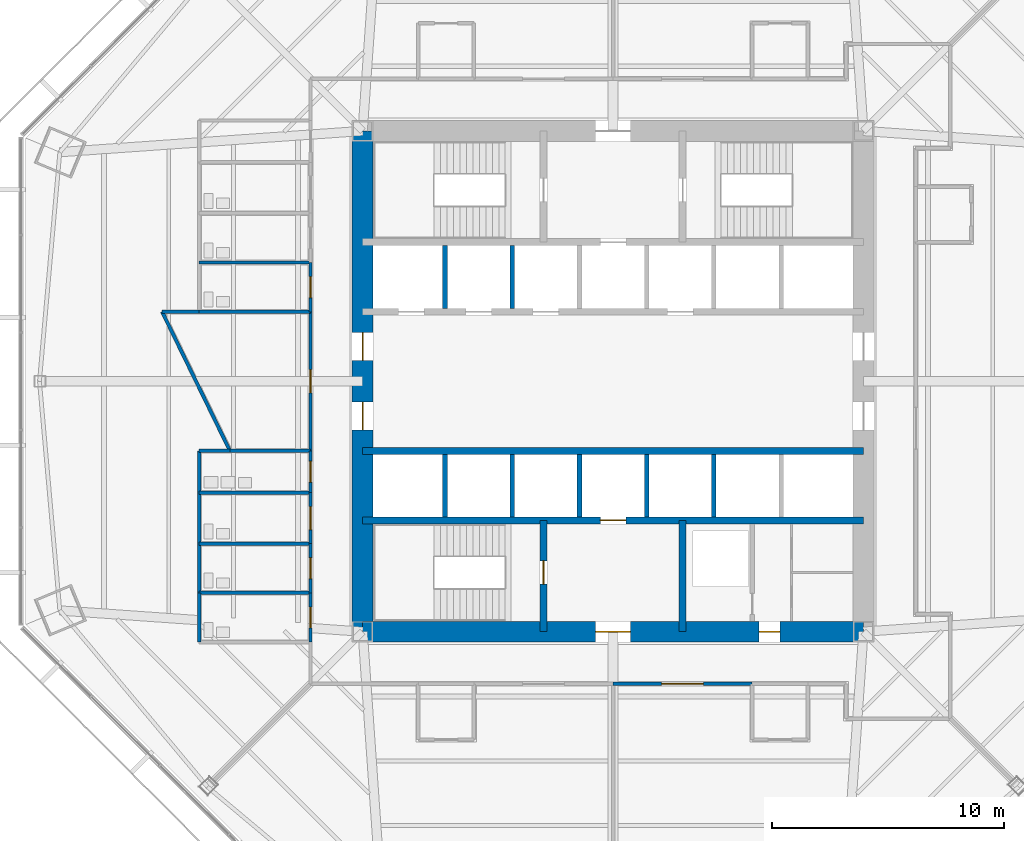
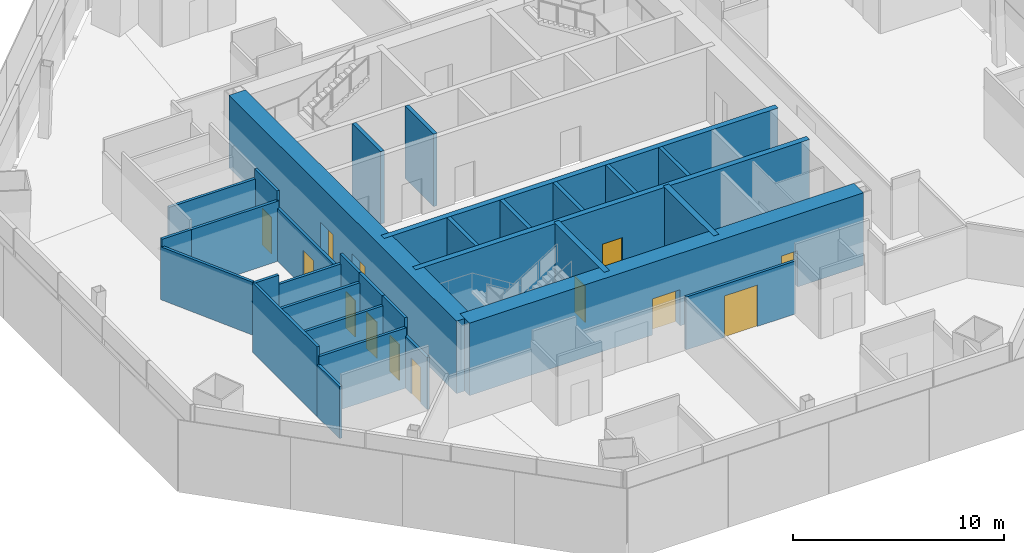
# One storey, part 10 of 17: 31 walls, 13 doors, 13 openings.
"""IFC4 building model written with IfcOpenShell, lengths in metres."""

from ifc_helpers import new_model, si_unit, direction, frame, frame_2d, origin, place, context, subcontext, project, spatial, rectangle, extrude, material, layer, layer_set, type_object, element, fill, save


model = new_model("IFC4")

# Units and contexts
model_context = context("Model", 3, precision=1e-05, world=origin(), true_north=direction((0.0, 1.0)))
body_context = subcontext(model_context, "Body", "Model", "MODEL_VIEW")
ifc_project = project(units=[si_unit("LENGTHUNIT", "METRE"), si_unit("AREAUNIT", "SQUARE_METRE"), si_unit("VOLUMEUNIT", "CUBIC_METRE"), si_unit("PLANEANGLEUNIT", "RADIAN"), si_unit("MASSUNIT", "GRAM", prefix="KILO")], contexts=[model_context])

# Site, building, storey
site_placement = place(None, origin())
site = spatial("IfcSite", under=ifc_project, at=site_placement, CompositionType="ELEMENT")
building_placement = place(site_placement, origin())
building = spatial("IfcBuilding", under=site, at=building_placement, Name="Mashrafa Tower", CompositionType="ELEMENT")
storey_placement = place(building_placement, frame((0.0, 0.0, 87.60009765625)))
storey = spatial("IfcBuildingStorey", under=building, at=storey_placement, Name="L19", CompositionType="ELEMENT", Elevation=87.60009765625)

# Wall
ifc_material_1 = material(Name="Concrete C60/75", Category="concrete")
ifc_layer_1 = layer(ifc_material_1, 0.300048828125)
ifc_layer_set_1 = layer_set([ifc_layer_1], Name="Core wall 300 C60/75")
wall_type_1 = type_object("IfcWallType", Name="Core wall 300 C60/75", PredefinedType="SOLIDWALL", material=ifc_layer_set_1)
wall_1_placement = place(storey_placement, frame((-10.800048828125, -3.0, 0.0), z_axis=(0.0, 0.0, 1.0), x_axis=(1.0, 0.0, 0.0)))
element("IfcWall", 1, at=wall_1_placement, inside=storey, type_object=wall_type_1, Name="Core wall CH-S L19", PredefinedType="SOLIDWALL", context=body_context, shape_type="SweptSolid", body=[
    extrude(rectangle(XDim=21.60009765625, YDim=0.300048828125, at=frame_2d((10.800048828125, 0.0))), origin(), (0.0, 0.0, 1.0), 4.199951171875),
])

# Wall, opening, door
wall_2_placement = place(storey_placement, frame((-10.800048828125, -6.0, 0.0), z_axis=(0.0, 0.0, 1.0), x_axis=(1.0, 0.0, 0.0)))
wall_2 = element("IfcWall", 2, at=wall_2_placement, inside=storey, type_object=wall_type_1, Name="Core wall CB-S L19", PredefinedType="SOLIDWALL", context=body_context, shape_type="SweptSolid", body=[
    extrude(rectangle(XDim=21.60009765625, YDim=0.300048828125, at=frame_2d((10.800048828125, 0.0))), origin(), (0.0, 0.0, 1.0), 4.199951171875),
])
opening_1_placement = place(wall_2_placement, frame((10.25, 0.0, 0.0)))
opening_1 = element("IfcOpeningElement", 3, at=opening_1_placement, cuts=wall_2, Name="Opening 19.F2", PredefinedType="OPENING", context=body_context, shape_type="SweptSolid", body=[
    extrude(rectangle(XDim=1.10009765625, YDim=2.10009765625, at=frame_2d((0.550048828125, 1.050048828125))), frame((0.0, 0.159912109375, 0.0), z_axis=(0.0, -1.0, 0.0), x_axis=(1.0, 0.0, 0.0)), (0.0, 0.0, 1.0), 0.320068359375),
])
ifc_material_2 = material(Name="Steel door", Category="steel")
door_type_1 = type_object("IfcDoorType", Name="Lift landing door 1100 x 2100 90 min", OperationType="DOUBLE_DOOR_SLIDING", PredefinedType="DOOR", material=ifc_material_2)
door_1_placement = place(opening_1_placement, origin())
door_1 = element("IfcDoor", 4, at=door_1_placement, inside=storey, type_object=door_type_1, Name="Lift landing door F2 L19", OperationType="DOUBLE_DOOR_SLIDING", OverallHeight=2.10009765625, OverallWidth=1.10009765625, PredefinedType="DOOR", context=body_context, shape_type="SweptSolid", body=[
    extrude(rectangle(XDim=1.10009765625, YDim=2.10009765625, at=frame_2d((0.550048828125, 1.050048828125))), frame((0.0, 0.02490234375, 0.0), z_axis=(0.0, -1.0, 0.0), x_axis=(1.0, 0.0, 0.0)), (0.0, 0.0, 1.0), 0.050048828125),
])
fill(opening_1, door_1)

wall_3_placement = place(storey_placement, frame((-3.0, -6.0, 0.0), z_axis=(0.0, 0.0, 1.0), x_axis=(0.0, -1.0, 0.0)))
wall_3 = element("IfcWall", 5, at=wall_3_placement, inside=storey, type_object=wall_type_1, Name="Core wall CX-SW L19", PredefinedType="SOLIDWALL", context=body_context, shape_type="SweptSolid", body=[
    extrude(rectangle(XDim=4.800048828125, YDim=0.300048828125, at=frame_2d((2.39990234375, 0.0))), origin(), (0.0, 0.0, 1.0), 4.199951171875),
])
opening_2_placement = place(wall_3_placement, frame((1.75, 0.0, 0.0)))
opening_2 = element("IfcOpeningElement", 6, at=opening_2_placement, cuts=wall_3, Name="Opening 19.034", PredefinedType="OPENING", context=body_context, shape_type="SweptSolid", body=[
    extrude(rectangle(XDim=1.0, YDim=2.10009765625, at=frame_2d((0.5, 1.050048828125))), frame((0.0, 0.159912109375, 0.0), z_axis=(0.0, -1.0, 0.0), x_axis=(1.0, 0.0, 0.0)), (0.0, 0.0, 1.0), 0.320068359375),
])
ifc_material_3 = material(Name="Steel door", Category="steel")
door_type_2 = type_object("IfcDoorType", Name="Stair door 1000 x 2100 90 min", OperationType="USERDEFINED", PredefinedType="DOOR", material=ifc_material_3)
door_2_placement = place(opening_2_placement, frame((1.0, 0.0, 0.0), z_axis=(0.0, 0.0, 1.0), x_axis=(-1.0, 0.0, 0.0)))
door_2 = element("IfcDoor", 7, at=door_2_placement, inside=storey, type_object=door_type_2, Name="Stair S3 door L19", OperationType="SINGLE_SWING_RIGHT", OverallHeight=2.10009765625, OverallWidth=1.0, PredefinedType="DOOR", context=body_context, shape_type="SweptSolid", body=[
    extrude(rectangle(XDim=1.0, YDim=2.10009765625, at=frame_2d((0.5, 1.050048828125))), frame((0.0, 0.02490234375, 0.0), z_axis=(0.0, -1.0, 0.0), x_axis=(1.0, 0.0, 0.0)), (0.0, 0.0, 1.0), 0.050048828125),
])
fill(opening_2, door_2)

# Wall
wall_4_placement = place(storey_placement, frame((3.0, -6.0, 0.0), z_axis=(0.0, 0.0, 1.0), x_axis=(0.0, -1.0, 0.0)))
element("IfcWall", 8, at=wall_4_placement, inside=storey, type_object=wall_type_1, Name="Core wall CX-SE L19", PredefinedType="SOLIDWALL", context=body_context, shape_type="SweptSolid", body=[
    extrude(rectangle(XDim=4.800048828125, YDim=0.300048828125, at=frame_2d((2.39990234375, 0.0))), origin(), (0.0, 0.0, 1.0), 4.199951171875),
])

# Wall, openings, doors
ifc_material_4 = material(Name="Concrete C60/75", Category="concrete")
ifc_layer_2 = layer(ifc_material_4, 0.89990234375)
ifc_layer_set_2 = layer_set([ifc_layer_2], Name="Core wall 900 C60/75")
wall_type_2 = type_object("IfcWallType", Name="Core wall 900 C60/75", PredefinedType="SOLIDWALL", material=ifc_layer_set_2)
wall_5_placement = place(storey_placement, frame((-10.800048828125, -10.800048828125, 0.0), z_axis=(0.0, 0.0, 1.0), x_axis=(1.0, 0.0, 0.0)))
wall_5 = element("IfcWall", 9, at=wall_5_placement, inside=storey, type_object=wall_type_2, Name="Core wall CW-S L19", PredefinedType="SOLIDWALL", context=body_context, shape_type="SweptSolid", body=[
    extrude(rectangle(XDim=21.60009765625, YDim=0.89990234375, at=frame_2d((10.800048828125, 0.0))), origin(), (0.0, 0.0, 1.0), 4.199951171875),
])
opening_3_placement = place(wall_5_placement, frame((10.050048828125, 0.0, 0.0)))
opening_3 = element("IfcOpeningElement", 10, at=opening_3_placement, cuts=wall_5, Name="Opening 19.031", PredefinedType="OPENING", context=body_context, shape_type="SweptSolid", body=[
    extrude(rectangle(XDim=1.5, YDim=2.10009765625, at=frame_2d((0.75, 1.050048828125))), frame((0.0, 0.4599609375, 0.0), z_axis=(0.0, -1.0, 0.0), x_axis=(1.0, 0.0, 0.0)), (0.0, 0.0, 1.0), 0.919921875),
])
opening_4_placement = place(wall_5_placement, frame((17.10009765625, 0.0, 0.0)))
opening_4 = element("IfcOpeningElement", 11, at=opening_4_placement, cuts=wall_5, Name="Opening 19.035", PredefinedType="OPENING", context=body_context, shape_type="SweptSolid", body=[
    extrude(rectangle(XDim=0.89990234375, YDim=2.10009765625, at=frame_2d((0.449951171875, 1.050048828125))), frame((0.0, 0.4599609375, 0.0), z_axis=(0.0, -1.0, 0.0), x_axis=(1.0, 0.0, 0.0)), (0.0, 0.0, 1.0), 0.919921875),
])
ifc_material_5 = material(Name="Steel door", Category="steel")
door_type_3 = type_object("IfcDoorType", Name="Lobby door pair 1500 x 2100 90 min", OperationType="DOUBLE_DOOR_SINGLE_SWING", PredefinedType="DOOR", material=ifc_material_5)
door_3_placement = place(opening_3_placement, origin())
door_3 = element("IfcDoor", 12, at=door_3_placement, inside=storey, type_object=door_type_3, Name="Fire-fighting lobby F2 door L19", OperationType="DOUBLE_DOOR_SINGLE_SWING", OverallHeight=2.10009765625, OverallWidth=1.5, PredefinedType="DOOR", context=body_context, shape_type="SweptSolid", body=[
    extrude(rectangle(XDim=1.5, YDim=2.10009765625, at=frame_2d((0.75, 1.050048828125))), frame((0.0, 0.02490234375, 0.0), z_axis=(0.0, -1.0, 0.0), x_axis=(1.0, 0.0, 0.0)), (0.0, 0.0, 1.0), 0.050048828125),
])
fill(opening_3, door_3)
ifc_material_6 = material(Name="Steel door", Category="steel")
door_type_4 = type_object("IfcDoorType", Name="Service door 900 x 2100 90 min", OperationType="USERDEFINED", PredefinedType="DOOR", material=ifc_material_6)
door_4_placement = place(opening_4_placement, frame((0.89990234375, 0.0, 0.0), z_axis=(0.0, 0.0, 1.0), x_axis=(-1.0, 0.0, 0.0)))
door_4 = element("IfcDoor", 13, at=door_4_placement, inside=storey, type_object=door_type_4, Name="Services Lobby L19 door", OperationType="SINGLE_SWING_LEFT", OverallHeight=2.10009765625, OverallWidth=0.89990234375, PredefinedType="DOOR", context=body_context, shape_type="SweptSolid", body=[
    extrude(rectangle(XDim=0.89990234375, YDim=2.10009765625, at=frame_2d((0.449951171875, 1.050048828125))), frame((0.0, 0.02490234375, 0.0), z_axis=(0.0, -1.0, 0.0), x_axis=(1.0, 0.0, 0.0)), (0.0, 0.0, 1.0), 0.050048828125),
])
fill(opening_4, door_4)

wall_6_placement = place(storey_placement, frame((-10.800048828125, 10.800048828125, 0.0), z_axis=(0.0, 0.0, 1.0), x_axis=(0.0, -1.0, 0.0)))
wall_6 = element("IfcWall", 14, at=wall_6_placement, inside=storey, type_object=wall_type_2, Name="Core wall CW-W L19", PredefinedType="SOLIDWALL", context=body_context, shape_type="SweptSolid", body=[
    extrude(rectangle(XDim=21.60009765625, YDim=0.89990234375, at=frame_2d((10.800048828125, 0.0))), origin(), (0.0, 0.0, 1.0), 4.199951171875),
])
opening_5_placement = place(wall_6_placement, frame((8.699951171875, 0.0, 0.0)))
opening_5 = element("IfcOpeningElement", 15, at=opening_5_placement, cuts=wall_6, Name="Opening 19.027", PredefinedType="OPENING", context=body_context, shape_type="SweptSolid", body=[
    extrude(rectangle(XDim=1.199951171875, YDim=2.10009765625, at=frame_2d((0.60009765625, 1.050048828125))), frame((0.0, 0.4599609375, 0.0), z_axis=(0.0, -1.0, 0.0), x_axis=(1.0, 0.0, 0.0)), (0.0, 0.0, 1.0), 0.919921875),
])
opening_6_placement = place(wall_6_placement, frame((11.699951171875, 0.0, 0.0)))
opening_6 = element("IfcOpeningElement", 16, at=opening_6_placement, cuts=wall_6, Name="Opening 19.029", PredefinedType="OPENING", context=body_context, shape_type="SweptSolid", body=[
    extrude(rectangle(XDim=1.199951171875, YDim=2.10009765625, at=frame_2d((0.60009765625, 1.050048828125))), frame((0.0, 0.4599609375, 0.0), z_axis=(0.0, -1.0, 0.0), x_axis=(1.0, 0.0, 0.0)), (0.0, 0.0, 1.0), 0.919921875),
])
ifc_material_7 = material(Name="Steel door", Category="steel")
door_type_5 = type_object("IfcDoorType", Name="Lift hall door 1200 x 2100 90 min", OperationType="USERDEFINED", PredefinedType="DOOR", material=ifc_material_7)
door_5_placement = place(opening_5_placement, frame((1.199951171875, 0.0, 0.0), z_axis=(0.0, 0.0, 1.0), x_axis=(-1.0, 0.0, 0.0)))
door_5 = element("IfcDoor", 17, at=door_5_placement, inside=storey, type_object=door_type_5, Name="Lift hall door west L19", OperationType="SINGLE_SWING_RIGHT", OverallHeight=2.10009765625, OverallWidth=1.199951171875, PredefinedType="DOOR", context=body_context, shape_type="SweptSolid", body=[
    extrude(rectangle(XDim=1.199951171875, YDim=2.10009765625, at=frame_2d((0.60009765625, 1.050048828125))), frame((0.0, 0.02490234375, 0.0), z_axis=(0.0, -1.0, 0.0), x_axis=(1.0, 0.0, 0.0)), (0.0, 0.0, 1.0), 0.050048828125),
])
fill(opening_5, door_5)
door_6_placement = place(opening_6_placement, frame((1.199951171875, 0.0, 0.0), z_axis=(0.0, 0.0, 1.0), x_axis=(-1.0, 0.0, 0.0)))
door_6 = element("IfcDoor", 18, at=door_6_placement, inside=storey, type_object=door_type_5, Name="Lift hall door west L19", OperationType="SINGLE_SWING_LEFT", OverallHeight=2.10009765625, OverallWidth=1.199951171875, PredefinedType="DOOR", context=body_context, shape_type="SweptSolid", body=[
    extrude(rectangle(XDim=1.199951171875, YDim=2.10009765625, at=frame_2d((0.60009765625, 1.050048828125))), frame((0.0, 0.02490234375, 0.0), z_axis=(0.0, -1.0, 0.0), x_axis=(1.0, 0.0, 0.0)), (0.0, 0.0, 1.0), 0.050048828125),
])
fill(opening_6, door_6)

# Wall, opening, door
ifc_material_8 = material(Name="Gypsum board on steel studs", Category="steel")
ifc_layer_3 = layer(ifc_material_8, 0.14990234375)
ifc_layer_set_3 = layer_set([ifc_layer_3], Name="Corridor partition 150 1 hr")
wall_type_3 = type_object("IfcWallType", Name="Corridor partition 150 1 hr", PredefinedType="PARTITIONING", material=ifc_layer_set_3)
wall_7_placement = place(storey_placement, frame((-13.050048828125, 5.1259765625, 0.0), z_axis=(0.0, 0.0, 1.0), x_axis=(0.0, -1.0, 0.0)))
wall_7 = element("IfcWall", 19, at=wall_7_placement, inside=storey, type_object=wall_type_3, Name="Corridor wall L19-001", PredefinedType="PARTITIONING", context=body_context, shape_type="SweptSolid", body=[
    extrude(rectangle(XDim=2.126953125, YDim=0.14990234375, at=frame_2d((1.0634765625, 0.0))), origin(), (0.0, 0.0, 1.0), 4.034912109375),
])
opening_7_placement = place(wall_7_placement, frame((0.613525390625, 0.0, 0.0)))
opening_7 = element("IfcOpeningElement", 20, at=opening_7_placement, cuts=wall_7, Name="Opening 19.001", PredefinedType="OPENING", context=body_context, shape_type="SweptSolid", body=[
    extrude(rectangle(XDim=0.89990234375, YDim=2.10009765625, at=frame_2d((0.449951171875, 1.050048828125))), frame((0.0, 0.0849609375, 0.0), z_axis=(0.0, -1.0, 0.0), x_axis=(1.0, 0.0, 0.0)), (0.0, 0.0, 1.0), 0.169921875),
])
ifc_material_9 = material(Name="Timber door", Category="wood")
door_type_6 = type_object("IfcDoorType", Name="Toilet door 900 x 2100", OperationType="USERDEFINED", PredefinedType="DOOR", material=ifc_material_9)
door_7_placement = place(opening_7_placement, frame((0.89990234375, 0.0, 0.0), z_axis=(0.0, 0.0, 1.0), x_axis=(-1.0, 0.0, 0.0)))
door_7 = element("IfcDoor", 21, at=door_7_placement, inside=storey, type_object=door_type_6, Name="WC Female L19 N door", OperationType="SINGLE_SWING_RIGHT", OverallHeight=2.10009765625, OverallWidth=0.89990234375, PredefinedType="DOOR", context=body_context, shape_type="SweptSolid", body=[
    extrude(rectangle(XDim=0.89990234375, YDim=2.10009765625, at=frame_2d((0.449951171875, 1.050048828125))), frame((0.0, 0.02490234375, 0.0), z_axis=(0.0, -1.0, 0.0), x_axis=(1.0, 0.0, 0.0)), (0.0, 0.0, 1.0), 0.050048828125),
])
fill(opening_7, door_7)

wall_8_placement = place(storey_placement, frame((-13.050048828125, -9.1240234375, 0.0), z_axis=(0.0, 0.0, 1.0), x_axis=(0.0, -1.0, 0.0)))
wall_8 = element("IfcWall", 22, at=wall_8_placement, inside=storey, type_object=wall_type_3, Name="Corridor wall L19-005", PredefinedType="PARTITIONING", context=body_context, shape_type="SweptSolid", body=[
    extrude(rectangle(XDim=2.126953125, YDim=0.14990234375, at=frame_2d((1.0634765625, 0.0))), origin(), (0.0, 0.0, 1.0), 3.013916015625),
])
opening_8_placement = place(wall_8_placement, frame((0.613525390625, 0.0, 0.0)))
opening_8 = element("IfcOpeningElement", 23, at=opening_8_placement, cuts=wall_8, Name="Opening 19.005", PredefinedType="OPENING", context=body_context, shape_type="SweptSolid", body=[
    extrude(rectangle(XDim=0.89990234375, YDim=2.10009765625, at=frame_2d((0.449951171875, 1.050048828125))), frame((0.0, 0.0849609375, 0.0), z_axis=(0.0, -1.0, 0.0), x_axis=(1.0, 0.0, 0.0)), (0.0, 0.0, 1.0), 0.169921875),
])
door_8_placement = place(opening_8_placement, frame((0.89990234375, 0.0, 0.0), z_axis=(0.0, 0.0, 1.0), x_axis=(-1.0, 0.0, 0.0)))
door_8 = element("IfcDoor", 24, at=door_8_placement, inside=storey, type_object=door_type_6, Name="WC Female L19 S door", OperationType="SINGLE_SWING_RIGHT", OverallHeight=2.10009765625, OverallWidth=0.89990234375, PredefinedType="DOOR", context=body_context, shape_type="SweptSolid", body=[
    extrude(rectangle(XDim=0.89990234375, YDim=2.10009765625, at=frame_2d((0.449951171875, 1.050048828125))), frame((0.0, 0.02490234375, 0.0), z_axis=(0.0, -1.0, 0.0), x_axis=(1.0, 0.0, 0.0)), (0.0, 0.0, 1.0), 0.050048828125),
])
fill(opening_8, door_8)

wall_9_placement = place(storey_placement, frame((-13.050048828125, -6.9990234375, 0.0), z_axis=(0.0, 0.0, 1.0), x_axis=(0.0, -1.0, 0.0)))
wall_9 = element("IfcWall", 25, at=wall_9_placement, inside=storey, type_object=wall_type_3, Name="Corridor wall L19-006", PredefinedType="PARTITIONING", context=body_context, shape_type="SweptSolid", body=[
    extrude(rectangle(XDim=2.126953125, YDim=0.14990234375, at=frame_2d((1.0634765625, 0.0))), origin(), (0.0, 0.0, 1.0), 4.034912109375),
])
opening_9_placement = place(wall_9_placement, frame((0.613525390625, 0.0, 0.0)))
opening_9 = element("IfcOpeningElement", 26, at=opening_9_placement, cuts=wall_9, Name="Opening 19.006", PredefinedType="OPENING", context=body_context, shape_type="SweptSolid", body=[
    extrude(rectangle(XDim=0.89990234375, YDim=2.10009765625, at=frame_2d((0.449951171875, 1.050048828125))), frame((0.0, 0.0849609375, 0.0), z_axis=(0.0, -1.0, 0.0), x_axis=(1.0, 0.0, 0.0)), (0.0, 0.0, 1.0), 0.169921875),
])
door_9_placement = place(opening_9_placement, frame((0.89990234375, 0.0, 0.0), z_axis=(0.0, 0.0, 1.0), x_axis=(-1.0, 0.0, 0.0)))
door_9 = element("IfcDoor", 27, at=door_9_placement, inside=storey, type_object=door_type_6, Name="WC Male L19 S door", OperationType="SINGLE_SWING_RIGHT", OverallHeight=2.10009765625, OverallWidth=0.89990234375, PredefinedType="DOOR", context=body_context, shape_type="SweptSolid", body=[
    extrude(rectangle(XDim=0.89990234375, YDim=2.10009765625, at=frame_2d((0.449951171875, 1.050048828125))), frame((0.0, 0.02490234375, 0.0), z_axis=(0.0, -1.0, 0.0), x_axis=(1.0, 0.0, 0.0)), (0.0, 0.0, 1.0), 0.050048828125),
])
fill(opening_9, door_9)

wall_10_placement = place(storey_placement, frame((-13.050048828125, -4.799072265625, 0.0), z_axis=(0.0, 0.0, 1.0), x_axis=(0.0, -1.0, 0.0)))
wall_10 = element("IfcWall", 28, at=wall_10_placement, inside=storey, type_object=wall_type_3, Name="Corridor wall L19-007", PredefinedType="PARTITIONING", context=body_context, shape_type="SweptSolid", body=[
    extrude(rectangle(XDim=2.201904296875, YDim=0.14990234375, at=frame_2d((1.10107421875, 0.0))), origin(), (0.0, 0.0, 1.0), 4.034912109375),
])
opening_10_placement = place(wall_10_placement, frame((0.60107421875, 0.0, 0.0)))
opening_10 = element("IfcOpeningElement", 29, at=opening_10_placement, cuts=wall_10, Name="Opening 19.007", PredefinedType="OPENING", context=body_context, shape_type="SweptSolid", body=[
    extrude(rectangle(XDim=1.0, YDim=2.10009765625, at=frame_2d((0.5, 1.050048828125))), frame((0.0, 0.0849609375, 0.0), z_axis=(0.0, -1.0, 0.0), x_axis=(1.0, 0.0, 0.0)), (0.0, 0.0, 1.0), 0.169921875),
])
ifc_material_10 = material(Name="Timber door", Category="wood")
door_type_7 = type_object("IfcDoorType", Name="Accessible toilet door 1000 x 2100", OperationType="USERDEFINED", PredefinedType="DOOR", material=ifc_material_10)
door_10_placement = place(opening_10_placement, frame((1.0, 0.0, 0.0), z_axis=(0.0, 0.0, 1.0), x_axis=(-1.0, 0.0, 0.0)))
door_10 = element("IfcDoor", 30, at=door_10_placement, inside=storey, type_object=door_type_7, Name="Accessible WC L19 S door", OperationType="SINGLE_SWING_LEFT", OverallHeight=2.10009765625, OverallWidth=1.0, PredefinedType="DOOR", context=body_context, shape_type="SweptSolid", body=[
    extrude(rectangle(XDim=1.0, YDim=2.10009765625, at=frame_2d((0.5, 1.050048828125))), frame((0.0, 0.02490234375, 0.0), z_axis=(0.0, -1.0, 0.0), x_axis=(1.0, 0.0, 0.0)), (0.0, 0.0, 1.0), 0.050048828125),
])
fill(opening_10, door_10)

wall_11_placement = place(storey_placement, frame((-13.050048828125, -2.9990234375, 0.0), z_axis=(0.0, 0.0, 1.0), x_axis=(0.0, -1.0, 0.0)))
wall_11 = element("IfcWall", 31, at=wall_11_placement, inside=storey, type_object=wall_type_3, Name="Corridor wall L19-008", PredefinedType="PARTITIONING", context=body_context, shape_type="SweptSolid", body=[
    extrude(rectangle(XDim=1.802001953125, YDim=0.14990234375, at=frame_2d((0.90087890625, 0.0))), origin(), (0.0, 0.0, 1.0), 4.034912109375),
])
opening_11_placement = place(wall_11_placement, frame((0.450927734375, 0.0, 0.0)))
opening_11 = element("IfcOpeningElement", 32, at=opening_11_placement, cuts=wall_11, Name="Opening 19.008", PredefinedType="OPENING", context=body_context, shape_type="SweptSolid", body=[
    extrude(rectangle(XDim=0.89990234375, YDim=2.10009765625, at=frame_2d((0.449951171875, 1.050048828125))), frame((0.0, 0.0849609375, 0.0), z_axis=(0.0, -1.0, 0.0), x_axis=(1.0, 0.0, 0.0)), (0.0, 0.0, 1.0), 0.169921875),
])
door_11_placement = place(opening_11_placement, frame((0.89990234375, 0.0, 0.0), z_axis=(0.0, 0.0, 1.0), x_axis=(-1.0, 0.0, 0.0)))
door_11 = element("IfcDoor", 33, at=door_11_placement, inside=storey, type_object=door_type_6, Name="Ablution Room L19 S door", OperationType="SINGLE_SWING_RIGHT", OverallHeight=2.10009765625, OverallWidth=0.89990234375, PredefinedType="DOOR", context=body_context, shape_type="SweptSolid", body=[
    extrude(rectangle(XDim=0.89990234375, YDim=2.10009765625, at=frame_2d((0.449951171875, 1.050048828125))), frame((0.0, 0.02490234375, 0.0), z_axis=(0.0, -1.0, 0.0), x_axis=(1.0, 0.0, 0.0)), (0.0, 0.0, 1.0), 0.050048828125),
])
fill(opening_11, door_11)

wall_12_placement = place(storey_placement, frame((-13.050048828125, 3.0009765625, 0.0), z_axis=(0.0, 0.0, 1.0), x_axis=(0.0, -1.0, 0.0)))
wall_12 = element("IfcWall", 34, at=wall_12_placement, inside=storey, type_object=wall_type_3, Name="Corridor wall L19-009", PredefinedType="PARTITIONING", context=body_context, shape_type="SweptSolid", body=[
    extrude(rectangle(XDim=6.001953125, YDim=0.14990234375, at=frame_2d((3.0009765625, 0.0))), origin(), (0.0, 0.0, 1.0), 3.064697265625),
])
opening_12_placement = place(wall_12_placement, frame((2.5009765625, 0.0, 0.0)))
opening_12 = element("IfcOpeningElement", 35, at=opening_12_placement, cuts=wall_12, Name="Opening 19.009", PredefinedType="OPENING", context=body_context, shape_type="SweptSolid", body=[
    extrude(rectangle(XDim=1.0, YDim=2.10009765625, at=frame_2d((0.5, 1.050048828125))), frame((0.0, 0.0849609375, 0.0), z_axis=(0.0, -1.0, 0.0), x_axis=(1.0, 0.0, 0.0)), (0.0, 0.0, 1.0), 0.169921875),
])
ifc_material_11 = material(Name="Timber door", Category="wood")
door_type_8 = type_object("IfcDoorType", Name="Door 1000 x 2100", OperationType="USERDEFINED", PredefinedType="DOOR", material=ifc_material_11)
door_12_placement = place(opening_12_placement, frame((1.0, 0.0, 0.0), z_axis=(0.0, 0.0, 1.0), x_axis=(-1.0, 0.0, 0.0)))
door_12 = element("IfcDoor", 36, at=door_12_placement, inside=storey, type_object=door_type_8, Name="Musallah Prayer Room 19 door", OperationType="SINGLE_SWING_LEFT", OverallHeight=2.10009765625, OverallWidth=1.0, PredefinedType="DOOR", context=body_context, shape_type="SweptSolid", body=[
    extrude(rectangle(XDim=1.0, YDim=2.10009765625, at=frame_2d((0.5, 1.050048828125))), frame((0.0, 0.02490234375, 0.0), z_axis=(0.0, -1.0, 0.0), x_axis=(1.0, 0.0, 0.0)), (0.0, 0.0, 1.0), 0.050048828125),
])
fill(opening_12, door_12)

wall_13_placement = place(storey_placement, frame((-0.0009765625, -13.050048828125, 0.0), z_axis=(0.0, 0.0, 1.0), x_axis=(1.0, 0.0, 0.0)))
wall_13 = element("IfcWall", 37, at=wall_13_placement, inside=storey, type_object=wall_type_3, Name="Corridor wall L19-029", PredefinedType="PARTITIONING", context=body_context, shape_type="SweptSolid", body=[
    extrude(rectangle(XDim=6.001953125, YDim=0.14990234375, at=frame_2d((3.0009765625, 0.0))), origin(), (0.0, 0.0, 1.0), 3.064697265625),
])
opening_13_placement = place(wall_13_placement, frame((2.10107421875, 0.0, 0.0)))
opening_13 = element("IfcOpeningElement", 38, at=opening_13_placement, cuts=wall_13, Name="Opening 19.024", PredefinedType="OPENING", context=body_context, shape_type="SweptSolid", body=[
    extrude(rectangle(XDim=1.800048828125, YDim=2.39990234375, at=frame_2d((0.89990234375, 1.199951171875))), frame((0.0, 0.0849609375, 0.0), z_axis=(0.0, -1.0, 0.0), x_axis=(1.0, 0.0, 0.0)), (0.0, 0.0, 1.0), 0.169921875),
])
ifc_material_12 = material(Name="Timber door", Category="wood")
door_type_9 = type_object("IfcDoorType", Name="Door pair 1800 x 2400", OperationType="DOUBLE_DOOR_SINGLE_SWING", PredefinedType="DOOR", material=ifc_material_12)
door_13_placement = place(opening_13_placement, frame((1.800048828125, 0.0, 0.0), z_axis=(0.0, 0.0, 1.0), x_axis=(-1.0, 0.0, 0.0)))
door_13 = element("IfcDoor", 39, at=door_13_placement, inside=storey, type_object=door_type_9, Name="Office Suite 19-SE door", OperationType="DOUBLE_DOOR_SINGLE_SWING", OverallHeight=2.39990234375, OverallWidth=1.800048828125, PredefinedType="DOOR", context=body_context, shape_type="SweptSolid", body=[
    extrude(rectangle(XDim=1.800048828125, YDim=2.39990234375, at=frame_2d((0.89990234375, 1.199951171875))), frame((0.0, 0.02490234375, 0.0), z_axis=(0.0, -1.0, 0.0), x_axis=(1.0, 0.0, 0.0)), (0.0, 0.0, 1.0), 0.050048828125),
])
fill(opening_13, door_13)

# Walls
ifc_material_13 = material(Name="Gypsum board on steel studs", Category="steel")
ifc_layer_4 = layer(ifc_material_13, 0.14990234375)
ifc_layer_set_4 = layer_set([ifc_layer_4], Name="Partition 150")
wall_type_4 = type_object("IfcWallType", Name="Partition 150", PredefinedType="PARTITIONING", material=ifc_layer_set_4)
for number, where, z_axis, x_axis, name in (
    (40, (-13.050048828125, 5.125, 0.0), (0.0, 0.0, 1.0), (-1.0, 0.0, 0.0), "Partition wall L19-035"),
    (41, (-17.85009765625, 3.0, 0.0), (0.0, 0.0, 1.0), (1.0, 0.0, 0.0), "Partition wall L19-036"),
    (42, (-13.050048828125, -9.125, 0.0), (0.0, 0.0, 1.0), (-1.0, 0.0, 0.0), "Partition wall L19-044"),
):
    element("IfcWall", number, at=place(storey_placement, frame(where, z_axis=z_axis, x_axis=x_axis)), inside=storey, type_object=wall_type_4, Name=name, PredefinedType="PARTITIONING", context=body_context, shape_type="SweptSolid", body=[
        extrude(rectangle(XDim=4.800048828125, YDim=0.14990234375, at=frame_2d((2.39990234375, 0.0))), origin(), (0.0, 0.0, 1.0), 3.491455078125),
    ])
wall_14_placement = place(storey_placement, frame((-17.85009765625, -9.125, 0.0), z_axis=(0.0, 0.0, 1.0), x_axis=(0.0, -1.0, 0.0)))
element("IfcWall", 43, at=wall_14_placement, inside=storey, type_object=wall_type_4, Name="Partition wall L19-045", PredefinedType="PARTITIONING", context=body_context, shape_type="SweptSolid", body=[
    extrude(rectangle(XDim=2.125, YDim=0.14990234375, at=frame_2d((1.0625, 0.0))), origin(), (0.0, 0.0, 1.0), 3.013916015625),
])
wall_15_placement = place(storey_placement, frame((-13.050048828125, -7.0, 0.0), z_axis=(0.0, 0.0, 1.0), x_axis=(-1.0, 0.0, 0.0)))
element("IfcWall", 44, at=wall_15_placement, inside=storey, type_object=wall_type_4, Name="Partition wall L19-047", PredefinedType="PARTITIONING", context=body_context, shape_type="SweptSolid", body=[
    extrude(rectangle(XDim=4.800048828125, YDim=0.14990234375, at=frame_2d((2.39990234375, 0.0))), origin(), (0.0, 0.0, 1.0), 3.491455078125),
])
wall_16_placement = place(storey_placement, frame((-17.85009765625, -9.125, 0.0), z_axis=(0.0, 0.0, 1.0), x_axis=(0.0, 1.0, 0.0)))
element("IfcWall", 45, at=wall_16_placement, inside=storey, type_object=wall_type_4, Name="Partition wall L19-048", PredefinedType="PARTITIONING", context=body_context, shape_type="SweptSolid", body=[
    extrude(rectangle(XDim=6.125, YDim=0.14990234375, at=frame_2d((3.0625, 0.0))), origin(), (0.0, 0.0, 1.0), 4.034912109375),
])
wall_17_placement = place(storey_placement, frame((-13.050048828125, -4.800048828125, 0.0), z_axis=(0.0, 0.0, 1.0), x_axis=(-1.0, 0.0, 0.0)))
element("IfcWall", 46, at=wall_17_placement, inside=storey, type_object=wall_type_4, Name="Partition wall L19-049", PredefinedType="PARTITIONING", context=body_context, shape_type="SweptSolid", body=[
    extrude(rectangle(XDim=4.800048828125, YDim=0.14990234375, at=frame_2d((2.39990234375, 0.0))), origin(), (0.0, 0.0, 1.0), 3.491455078125),
])
wall_18_placement = place(storey_placement, frame((-13.050048828125, -3.0, 0.0), z_axis=(0.0, 0.0, 1.0), x_axis=(-1.0, 0.0, 0.0)))
element("IfcWall", 47, at=wall_18_placement, inside=storey, type_object=wall_type_4, Name="Partition wall L19-051", PredefinedType="PARTITIONING", context=body_context, shape_type="SweptSolid", body=[
    extrude(rectangle(XDim=3.474609375, YDim=0.14990234375, at=frame_2d((1.7373046875, 0.0))), origin(), (0.0, 0.0, 1.0), 3.491455078125),
])
wall_19_placement = place(storey_placement, frame((-16.5224609375, -3.0, 0.0), z_axis=(0.0, 0.0, 1.0), x_axis=(-1.0, 0.0, 0.0)))
element("IfcWall", 48, at=wall_19_placement, inside=storey, type_object=wall_type_4, Name="Partition wall L19-052", PredefinedType="PARTITIONING", context=body_context, shape_type="SweptSolid", body=[
    extrude(rectangle(XDim=1.32763671875, YDim=0.14990234375, at=frame_2d((0.663818359375, 0.0))), origin(), (0.0, 0.0, 1.0), 4.034912109375),
])
wall_20_placement = place(storey_placement, frame((-17.84912109375, 3.0, 0.0), z_axis=(0.0, 0.0, 1.0), x_axis=(-1.0, 0.0, 0.0)))
element("IfcWall", 49, at=wall_20_placement, inside=storey, type_object=wall_type_4, Name="Partition wall L19-054", PredefinedType="PARTITIONING", context=body_context, shape_type="SweptSolid", body=[
    extrude(rectangle(XDim=1.600830078125, YDim=0.14990234375, at=frame_2d((0.80029296875, 0.0))), origin(), (0.0, 0.0, 1.0), 3.49658203125),
])
wall_21_placement = place(storey_placement, frame((-19.449951171875, 3.0, 0.0), z_axis=(0.0, 0.0, 1.0), x_axis=(0.43835589904, -0.898801482963, 0.0)))
element("IfcWall", 50, at=wall_21_placement, inside=storey, type_object=wall_type_4, Name="Partition wall L19-055", PredefinedType="PARTITIONING", context=body_context, shape_type="SweptSolid", body=[
    extrude(rectangle(XDim=6.675537109375, YDim=0.14990234375, at=frame_2d((3.337890625, 0.0))), origin(), (0.0, 0.0, 1.0), 3.064697265625),
])
ifc_material_14 = material(Name="Gypsum shaft wall on steel studs", Category="steel")
ifc_layer_5 = layer(ifc_material_14, 0.199951171875)
ifc_layer_set_5 = layer_set([ifc_layer_5], Name="Shaft divider wall 200 2 hr")
wall_type_5 = type_object("IfcWallType", Name="Shaft divider wall 200 2 hr", PredefinedType="PARTITIONING", material=ifc_layer_set_5)
for number, where, z_axis, x_axis, name in (
    (51, (-7.25, 3.14990234375, 0.0), (0.0, 0.0, 1.0), (0.0, 1.0, 0.0), "Shaft divider wall N1 L19"),
    (52, (-4.35009765625, 3.14990234375, 0.0), (0.0, 0.0, 1.0), (0.0, 1.0, 0.0), "Shaft divider wall N2 L19"),
    (53, (-7.25, -5.85009765625, 0.0), (0.0, 0.0, 1.0), (0.0, 1.0, 0.0), "Shaft divider wall S1 L19"),
    (54, (-4.35009765625, -5.85009765625, 0.0), (0.0, 0.0, 1.0), (0.0, 1.0, 0.0), "Shaft divider wall S2 L19"),
    (55, (-1.449951171875, -5.85009765625, 0.0), (0.0, 0.0, 1.0), (0.0, 1.0, 0.0), "Shaft divider wall S3 L19"),
    (56, (1.449951171875, -5.85009765625, 0.0), (0.0, 0.0, 1.0), (0.0, 1.0, 0.0), "Shaft divider wall S4 L19"),
    (57, (4.35009765625, -5.85009765625, 0.0), (0.0, 0.0, 1.0), (0.0, 1.0, 0.0), "Shaft divider wall S5 L19"),
):
    element("IfcWall", number, at=place(storey_placement, frame(where, z_axis=z_axis, x_axis=x_axis)), inside=storey, type_object=wall_type_5, Name=name, PredefinedType="PARTITIONING", context=body_context, shape_type="SweptSolid", body=[
        extrude(rectangle(XDim=2.7001953125, YDim=0.199951171875, at=frame_2d((1.35009765625, 0.0))), origin(), (0.0, 0.0, 1.0), 4.199951171875),
    ])

save(model, "model.ifc")
